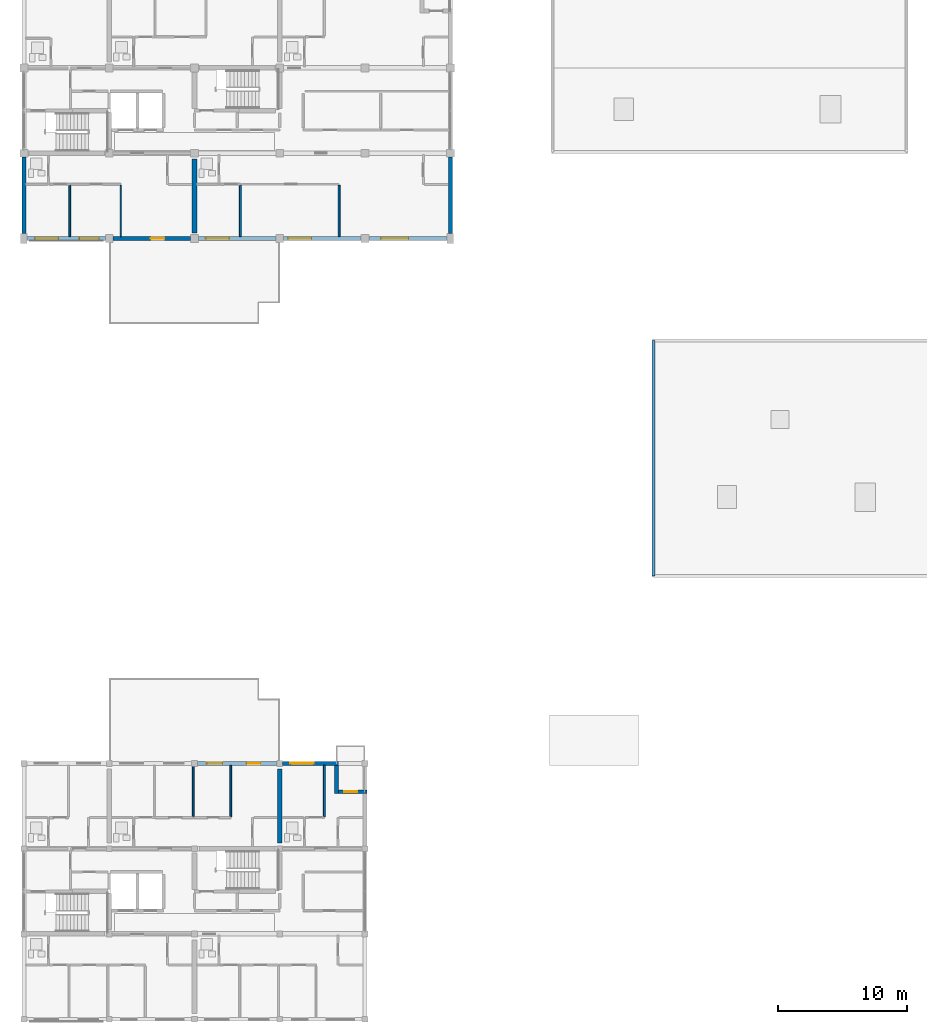
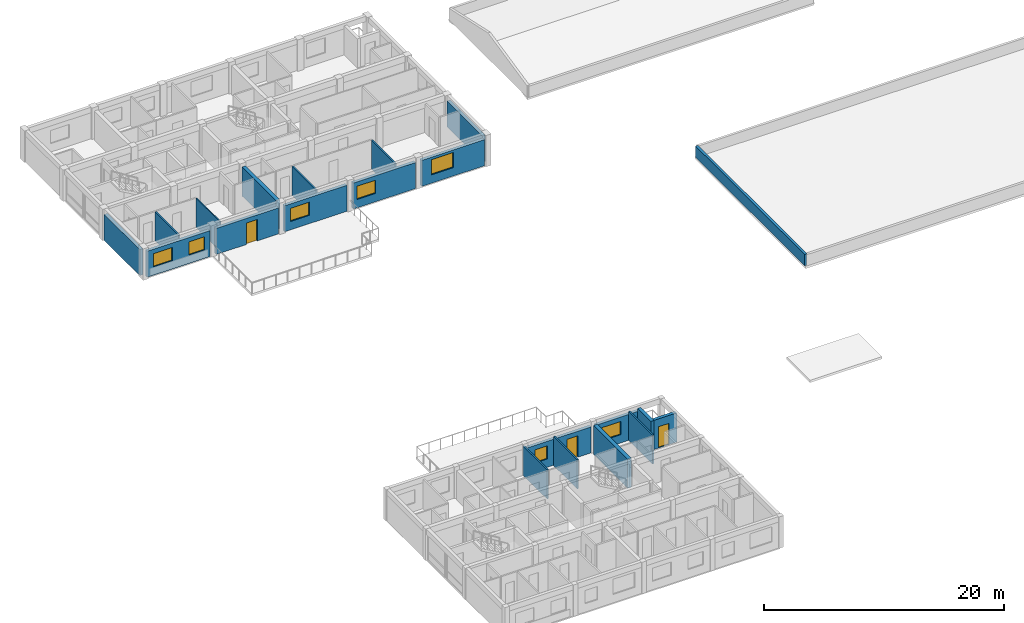
# One storey, part 29 of 51: 21 walls, 7 windows, 3 doors, 10 openings.
"""IFC4 building model written with IfcOpenShell, lengths in metres."""

import ifcopenshell
import ifcopenshell.guid

model = None  # the IFC model being written
_history = None  # IfcOwnerHistory: only IFC2X3 demands one
_inside = {}  # id of a spatial element -> (the spatial element, [elements in it])
_under = {}  # id of a project, library or spatial element -> (it, [spatial elements below it])
_declared = {}  # id of a project -> (the project, [libraries it declares])
_typed = {}  # id of a type object -> (the type object, [elements of that type])
_made_of = {}  # id of a material, layer set ... -> (it, [elements and type objects made of it])


def new_model(schema):
    """Start an empty IFC model of exactly this schema.

    Asked for "IFC4X3", IfcOpenShell would pick the latest addendum, in which some entities
    have other attributes; the version numbers below select the first issue.
    IFC2X3 requires an IfcOwnerHistory on every rooted entity: one is made here for all.
    """
    global model, _history
    if schema == "IFC4X3":
        model = ifcopenshell.file(schema_version=(4, 3, 0, 0))
    else:
        model = ifcopenshell.file(schema=schema)
    _inside.clear()
    _under.clear()
    _declared.clear()
    _typed.clear()
    _made_of.clear()
    _history = None
    if model.schema == "IFC2X3":
        org = make("IfcOrganization", Name="unknown")
        user = make(
            "IfcPersonAndOrganization",
            ThePerson=make("IfcPerson", FamilyName="unknown"),
            TheOrganization=org,
        )
        app = make(
            "IfcApplication",
            ApplicationDeveloper=org,
            Version="unknown",
            ApplicationFullName="unknown",
            ApplicationIdentifier="unknown",
        )
        _history = make(
            "IfcOwnerHistory",
            OwningUser=user,
            OwningApplication=app,
            ChangeAction="ADDED",
            CreationDate=0,
        )
    return model


def make(cls, **values):
    """One entity of the class cls with the attributes given. An attribute that is None is left unset."""
    return model.create_entity(
        cls, **{name: value for name, value in values.items() if value is not None}
    )


def rooted(cls, **values):
    """An entity with a GlobalId (a new one), such as an element, a storey or a relation."""
    return make(cls, GlobalId=ifcopenshell.guid.new(), OwnerHistory=_history, **values)


def si_unit(unit_type, name, prefix=None):
    """IfcSIUnit, for example si_unit("LENGTHUNIT", "METRE", prefix="MILLI")."""
    return make("IfcSIUnit", UnitType=unit_type, Prefix=prefix, Name=name)


def assignment(units):
    """IfcUnitAssignment: the units of a project."""
    return None if units is None else make("IfcUnitAssignment", Units=units)


def point(xyz):
    """IfcCartesianPoint."""
    return None if xyz is None else make("IfcCartesianPoint", Coordinates=xyz)


def direction(xyz):
    """IfcDirection."""
    return None if xyz is None else make("IfcDirection", DirectionRatios=xyz)


def frame(location, z_axis=None, x_axis=None):
    """IfcAxis2Placement3D, a coordinate frame: its origin and axes. An axis left out is left unset."""
    return make(
        "IfcAxis2Placement3D",
        Location=point(location),
        Axis=direction(z_axis),
        RefDirection=direction(x_axis),
    )


def frame_2d(location, x_axis=None):
    """IfcAxis2Placement2D, a coordinate frame in the plane: its origin and x axis."""
    return make(
        "IfcAxis2Placement2D", Location=point(location), RefDirection=direction(x_axis)
    )


def origin():
    """The frame at (0, 0, 0) with its axes left unset."""
    return frame((0.0, 0.0, 0.0))


def place(relative_to, where):
    """IfcLocalPlacement: puts the frame where relative to a parent placement (None: the world)."""
    return make(
        "IfcLocalPlacement", PlacementRelTo=relative_to, RelativePlacement=where
    )


def context(
    kind, dimensions, precision=None, world=None, true_north=None, identifier=None
):
    """IfcGeometricRepresentationContext, for example the 3D "Model" context."""
    return make(
        "IfcGeometricRepresentationContext",
        ContextIdentifier=identifier,
        ContextType=kind,
        CoordinateSpaceDimension=dimensions,
        Precision=precision,
        WorldCoordinateSystem=world,
        TrueNorth=true_north,
    )


def subcontext(parent, identifier, kind, view, scale=None):
    """IfcGeometricRepresentationSubContext, for example "Body" below "Model"."""
    return make(
        "IfcGeometricRepresentationSubContext",
        ContextIdentifier=identifier,
        ContextType=kind,
        ParentContext=parent,
        TargetScale=scale,
        TargetView=view,
    )


def project(units=None, contexts=None):
    """IfcProject with its units and contexts."""
    return rooted(
        "IfcProject",
        Name="project",
        RepresentationContexts=contexts,
        UnitsInContext=assignment(units),
    )


def spatial(cls, under=None, at=None, **own):
    """A site, building, storey or space (cls), placed at a placement, below another one or the project."""
    s = rooted(cls, ObjectPlacement=at, **own)
    if under is not None:
        _under.setdefault(under.id(), (under, []))[1].append(s)
    return s


def profile(cls, at=None, kind="AREA", **sizes):
    """A parametric profile (cls). Its sizes go by their IFC names, for example OverallWidth=200.0."""
    return make(cls, ProfileType=kind, Position=at, **sizes)


def rectangle(**sizes):
    """IfcRectangleProfileDef."""
    return profile("IfcRectangleProfileDef", **sizes)


def extrude(swept, where, along, depth):
    """IfcExtrudedAreaSolid: the profile swept, set in the frame where, extruded along a direction by depth."""
    return make(
        "IfcExtrudedAreaSolid",
        SweptArea=swept,
        Position=where,
        ExtrudedDirection=direction(along),
        Depth=depth,
    )


def shape(context_of_items, identifier, shape_type, items):
    """IfcShapeRepresentation: the items that make up one representation, for example the "Body"."""
    return make(
        "IfcShapeRepresentation",
        ContextOfItems=context_of_items,
        RepresentationIdentifier=identifier,
        RepresentationType=shape_type,
        Items=items,
    )


def material(Name=None, Category=None):
    """IfcMaterial."""
    return make("IfcMaterial", Name=Name, Category=Category)


def layer(
    of_material, thickness, ventilated=None, Name=None, Category=None, Priority=None
):
    """IfcMaterialLayer: one layer of a wall or slab, of a material (None: an air gap)."""
    return make(
        "IfcMaterialLayer",
        Material=of_material,
        LayerThickness=thickness,
        IsVentilated=ventilated,
        Name=Name,
        Category=Category,
        Priority=Priority,
    )


def layer_set(layers, Name=None):
    """IfcMaterialLayerSet."""
    return make("IfcMaterialLayerSet", MaterialLayers=layers, LayerSetName=Name)


def made_of(thing, what):
    """Note that an element or type object is made of a material, layer set ...; save() writes the relation."""
    if what is not None:
        _made_of.setdefault(what.id(), (what, []))[1].append(thing)
    return thing


def type_object(cls, material=None, **own):
    """A type object (cls), such as IfcWallType, which elements share."""
    return made_of(rooted(cls, **own), material)


def element(
    cls,
    number,
    at=None,
    inside=None,
    cuts=None,
    type_object=None,
    material=None,
    context=None,
    identifier="Body",
    shape_type=None,
    held_by="IfcProductDefinitionShape",
    body=None,
    shapes=None,
    **own,
):
    """One element of the class cls, such as IfcWall. Its Tag is "e" and its number.

    at: its placement. inside: the storey or other place that contains it. cuts: it is an
    opening in that element (IfcRelVoidsElement). A single representation is given by context,
    identifier, shape_type and body (its items); several are given by shapes. held_by: the class
    of the entity that holds the representations. save() writes the other relations.
    """
    e = rooted(cls, Tag="e%d" % number, ObjectPlacement=at, **own)
    if body is not None:
        shapes = [shape(context, identifier, shape_type, body)]
    if shapes is not None:
        e.Representation = make(held_by, Representations=shapes)
    if inside is not None:
        _inside.setdefault(inside.id(), (inside, []))[1].append(e)
    if cuts is not None:
        rooted(
            "IfcRelVoidsElement", RelatingBuildingElement=cuts, RelatedOpeningElement=e
        )
    if type_object is not None:
        _typed.setdefault(type_object.id(), (type_object, []))[1].append(e)
    return made_of(e, material)


def fill(opening, filler):
    """IfcRelFillsElement: the door or window that sits in an opening."""
    return rooted(
        "IfcRelFillsElement",
        RelatingOpeningElement=opening,
        RelatedBuildingElement=filler,
    )


def aggregate(whole, parts):
    """IfcRelAggregates: a whole, such as a stair, and the parts it consists of."""
    return rooted("IfcRelAggregates", RelatingObject=whole, RelatedObjects=parts)


def save(model, path):
    """Write the relations noted so far, then the file.

    IfcRelAggregates (storeys below a building ...), IfcRelContainedInSpatialStructure (elements
    in a storey), IfcRelDefinesByType, IfcRelAssociatesMaterial and IfcRelDeclares: one each for
    every whole, place, type object, material and project.
    """
    for whole, parts in _under.values():
        aggregate(whole, parts)
    for where, things in _inside.values():
        rooted(
            "IfcRelContainedInSpatialStructure",
            RelatedElements=things,
            RelatingStructure=where,
        )
    for kind, things in _typed.values():
        rooted("IfcRelDefinesByType", RelatedObjects=things, RelatingType=kind)
    for what, things in _made_of.values():
        rooted("IfcRelAssociatesMaterial", RelatedObjects=things, RelatingMaterial=what)
    for by, libraries in _declared.values():
        rooted("IfcRelDeclares", RelatingContext=by, RelatedDefinitions=libraries)
    model.write(path)


model = new_model("IFC4")

# Units and contexts
model_context = context("Model", 3, precision=1e-05, world=origin(), true_north=direction((0.0, 1.0)))
body_context = subcontext(model_context, "Body", "Model", "MODEL_VIEW")
ifc_project = project(units=[si_unit("LENGTHUNIT", "METRE"), si_unit("AREAUNIT", "SQUARE_METRE"), si_unit("VOLUMEUNIT", "CUBIC_METRE"), si_unit("PLANEANGLEUNIT", "RADIAN"), si_unit("MASSUNIT", "GRAM", prefix="KILO")], contexts=[model_context])

# Site, building, storey
site_placement = place(None, origin())
site = spatial("IfcSite", under=ifc_project, at=site_placement, CompositionType="ELEMENT")
building_placement = place(site_placement, origin())
building = spatial("IfcBuilding", under=site, at=building_placement, Name="Kernevlak Ridge Housing Community", CompositionType="ELEMENT")
storey_placement = place(building_placement, frame((0.0, 0.0, 8.39990234375)))
storey = spatial("IfcBuildingStorey", under=building, at=storey_placement, Name="L02", CompositionType="ELEMENT", Elevation=8.39990234375)

# Wall, openings, windows
ifc_material_1 = material(Name="Concrete block masonry M10", Category="masonry")
ifc_layer_1 = layer(ifc_material_1, 0.300048828125, Name="Concrete block masonry M10")
ifc_layer_set_1 = layer_set([ifc_layer_1], Name="Concrete block masonry M10")
wall_type_1 = type_object("IfcWallType", Name="EW-01", PredefinedType="STANDARD", material=ifc_layer_set_1)
wall_1_placement = place(storey_placement, frame((15.85009765625, 76.0, 0.0), z_axis=(0.0, 0.0, 1.0), x_axis=(1.0, 0.0, 0.0)))
wall_1 = element("IfcWall", 1, at=wall_1_placement, inside=storey, type_object=wall_type_1, Name="Exterior wall EW-01 L02 29", PredefinedType="STANDARD", context=body_context, shape_type="SweptSolid", body=[
    extrude(rectangle(XDim=6.0498046875, YDim=0.300048828125, at=frame_2d((3.02490234375, 0.0))), origin(), (0.0, 0.0, 1.0), 2.650146484375),
])
opening_1_placement = place(wall_1_placement, frame((0.625, 0.0, 0.85009765625)))
opening_1 = element("IfcOpeningElement", 2, at=opening_1_placement, cuts=wall_1, Name="Opening WT-03", PredefinedType="OPENING", context=body_context, shape_type="SweptSolid", body=[
    extrude(rectangle(XDim=1.800048828125, YDim=1.35009765625, at=frame_2d((0.89990234375, 0.675048828125))), frame((0.0, 0.159912109375, 0.0), z_axis=(0.0, -1.0, 0.0), x_axis=(1.0, 0.0, 0.0)), (0.0, 0.0, 1.0), 0.320068359375),
])
opening_2_placement = place(wall_1_placement, frame((4.050048828125, 0.0, 0.85009765625)))
opening_2 = element("IfcOpeningElement", 3, at=opening_2_placement, cuts=wall_1, Name="Opening WT-02", PredefinedType="OPENING", context=body_context, shape_type="SweptSolid", body=[
    extrude(rectangle(XDim=1.5, YDim=1.35009765625, at=frame_2d((0.75, 0.675048828125))), frame((0.0, 0.159912109375, 0.0), z_axis=(0.0, -1.0, 0.0), x_axis=(1.0, 0.0, 0.0)), (0.0, 0.0, 1.0), 0.320068359375),
])
ifc_material_2 = material(Name="Aluminium EN AW-6060 anodised and laminated glass", Category="aluminium")
window_type_1 = type_object("IfcWindowType", Name="WT-02", PartitioningType="SINGLE_PANEL", PredefinedType="WINDOW", material=ifc_material_2)
window_1_placement = place(opening_2_placement, origin())
window_1 = element("IfcWindow", 4, at=window_1_placement, inside=storey, type_object=window_type_1, Name="Window WT-02 L02 23", OverallHeight=1.35009765625, OverallWidth=1.5, PartitioningType="SINGLE_PANEL", PredefinedType="WINDOW", context=body_context, shape_type="SweptSolid", body=[
    extrude(rectangle(XDim=1.5, YDim=1.35009765625, at=frame_2d((0.75, 0.675048828125))), frame((0.0, 0.030029296875, 0.0), z_axis=(0.0, -1.0, 0.0), x_axis=(1.0, 0.0, 0.0)), (0.0, 0.0, 1.0), 0.06005859375),
])
fill(opening_2, window_1)
window_type_2 = type_object("IfcWindowType", Name="WT-03", PartitioningType="SINGLE_PANEL", PredefinedType="WINDOW", material=ifc_material_2)
window_2_placement = place(opening_1_placement, origin())
window_2 = element("IfcWindow", 5, at=window_2_placement, inside=storey, type_object=window_type_2, Name="Window WT-03 L02 22", OverallHeight=1.35009765625, OverallWidth=1.800048828125, PartitioningType="SINGLE_PANEL", PredefinedType="WINDOW", context=body_context, shape_type="SweptSolid", body=[
    extrude(rectangle(XDim=1.800048828125, YDim=1.35009765625, at=frame_2d((0.89990234375, 0.675048828125))), frame((0.0, 0.030029296875, 0.0), z_axis=(0.0, -1.0, 0.0), x_axis=(1.0, 0.0, 0.0)), (0.0, 0.0, 1.0), 0.06005859375),
])
fill(opening_1, window_2)

# Wall, opening, door
wall_2_placement = place(storey_placement, frame((22.5, 76.0, 0.0), z_axis=(0.0, 0.0, 1.0), x_axis=(1.0, 0.0, 0.0)))
wall_2 = element("IfcWall", 6, at=wall_2_placement, inside=storey, type_object=wall_type_1, Name="Exterior wall EW-01 L02 30", PredefinedType="STANDARD", context=body_context, shape_type="SweptSolid", body=[
    extrude(rectangle(XDim=6.0, YDim=0.300048828125, at=frame_2d((3.0, 0.0))), origin(), (0.0, 0.0, 1.0), 2.650146484375),
])
opening_3_placement = place(wall_2_placement, frame((2.9208984375, 0.0, 0.0)))
opening_3 = element("IfcOpeningElement", 7, at=opening_3_placement, cuts=wall_2, Name="Opening D078", PredefinedType="OPENING", context=body_context, shape_type="SweptSolid", body=[
    extrude(rectangle(XDim=1.050048828125, YDim=2.179931640625, at=frame_2d((0.52490234375, 1.08984375))), frame((0.0, 0.159912109375, 0.0), z_axis=(0.0, -1.0, 0.0), x_axis=(1.0, 0.0, 0.0)), (0.0, 0.0, 1.0), 0.320068359375),
])
ifc_material_3 = material(Name="Aluminium EN AW-6060 and laminated safety glass", Category="aluminium")
door_type_1 = type_object("IfcDoorType", Name="DT-12", OperationType="NOTDEFINED", PredefinedType="DOOR", material=ifc_material_3)
door_1_placement = place(opening_3_placement, origin())
door_1 = element("IfcDoor", 8, at=door_1_placement, inside=storey, type_object=door_type_1, Name="Flat A0211 podium terrace glazed door D078", OperationType="SINGLE_SWING_RIGHT", OverallHeight=2.179931640625, OverallWidth=1.050048828125, PredefinedType="DOOR", context=body_context, shape_type="SweptSolid", body=[
    extrude(rectangle(XDim=1.050048828125, YDim=2.179931640625, at=frame_2d((0.52490234375, 1.08984375))), frame((0.0, 0.02490234375, 0.0), z_axis=(0.0, -1.0, 0.0), x_axis=(1.0, 0.0, 0.0)), (0.0, 0.0, 1.0), 0.050048828125),
])
fill(opening_3, door_1)

# Wall, opening, window
wall_3_placement = place(storey_placement, frame((29.10009765625, 76.0, 0.0), z_axis=(0.0, 0.0, 1.0), x_axis=(1.0, 0.0, 0.0)))
wall_3 = element("IfcWall", 9, at=wall_3_placement, inside=storey, type_object=wall_type_1, Name="Exterior wall EW-01 L02 31", PredefinedType="STANDARD", context=body_context, shape_type="SweptSolid", body=[
    extrude(rectangle(XDim=6.0, YDim=0.300048828125, at=frame_2d((3.0, 0.0))), origin(), (0.0, 0.0, 1.0), 2.650146484375),
])
opening_4_placement = place(wall_3_placement, frame((0.574951171875, 0.0, 0.85009765625)))
opening_4 = element("IfcOpeningElement", 10, at=opening_4_placement, cuts=wall_3, Name="Opening WT-03", PredefinedType="OPENING", context=body_context, shape_type="SweptSolid", body=[
    extrude(rectangle(XDim=1.800048828125, YDim=1.35009765625, at=frame_2d((0.89990234375, 0.675048828125))), frame((0.0, 0.159912109375, 0.0), z_axis=(0.0, -1.0, 0.0), x_axis=(1.0, 0.0, 0.0)), (0.0, 0.0, 1.0), 0.320068359375),
])
window_3_placement = place(opening_4_placement, origin())
window_3 = element("IfcWindow", 11, at=window_3_placement, inside=storey, type_object=window_type_2, Name="Window WT-03 L02 24", OverallHeight=1.35009765625, OverallWidth=1.800048828125, PartitioningType="SINGLE_PANEL", PredefinedType="WINDOW", context=body_context, shape_type="SweptSolid", body=[
    extrude(rectangle(XDim=1.800048828125, YDim=1.35009765625, at=frame_2d((0.89990234375, 0.675048828125))), frame((0.0, 0.030029296875, 0.0), z_axis=(0.0, -1.0, 0.0), x_axis=(1.0, 0.0, 0.0)), (0.0, 0.0, 1.0), 0.06005859375),
])
fill(opening_4, window_3)

wall_4_placement = place(storey_placement, frame((35.699951171875, 76.0, 0.0), z_axis=(0.0, 0.0, 1.0), x_axis=(1.0, 0.0, 0.0)))
wall_4 = element("IfcWall", 12, at=wall_4_placement, inside=storey, type_object=wall_type_1, Name="Exterior wall EW-01 L02 32", PredefinedType="STANDARD", context=body_context, shape_type="SweptSolid", body=[
    extrude(rectangle(XDim=6.0, YDim=0.300048828125, at=frame_2d((3.0, 0.0))), origin(), (0.0, 0.0, 1.0), 2.650146484375),
])
opening_5_placement = place(wall_4_placement, frame((0.35009765625, 0.0, 0.85009765625)))
opening_5 = element("IfcOpeningElement", 13, at=opening_5_placement, cuts=wall_4, Name="Opening WT-03", PredefinedType="OPENING", context=body_context, shape_type="SweptSolid", body=[
    extrude(rectangle(XDim=1.800048828125, YDim=1.35009765625, at=frame_2d((0.89990234375, 0.675048828125))), frame((0.0, 0.159912109375, 0.0), z_axis=(0.0, -1.0, 0.0), x_axis=(1.0, 0.0, 0.0)), (0.0, 0.0, 1.0), 0.320068359375),
])
window_4_placement = place(opening_5_placement, origin())
window_4 = element("IfcWindow", 14, at=window_4_placement, inside=storey, type_object=window_type_2, Name="Window WT-03 L02 25", OverallHeight=1.35009765625, OverallWidth=1.800048828125, PartitioningType="SINGLE_PANEL", PredefinedType="WINDOW", context=body_context, shape_type="SweptSolid", body=[
    extrude(rectangle(XDim=1.800048828125, YDim=1.35009765625, at=frame_2d((0.89990234375, 0.675048828125))), frame((0.0, 0.030029296875, 0.0), z_axis=(0.0, -1.0, 0.0), x_axis=(1.0, 0.0, 0.0)), (0.0, 0.0, 1.0), 0.06005859375),
])
fill(opening_5, window_4)

wall_5_placement = place(storey_placement, frame((42.300048828125, 76.0, 0.0), z_axis=(0.0, 0.0, 1.0), x_axis=(1.0, 0.0, 0.0)))
wall_5 = element("IfcWall", 15, at=wall_5_placement, inside=storey, type_object=wall_type_1, Name="Exterior wall EW-01 L02 33", PredefinedType="STANDARD", context=body_context, shape_type="SweptSolid", body=[
    extrude(rectangle(XDim=6.050048828125, YDim=0.300048828125, at=frame_2d((3.02490234375, 0.0))), origin(), (0.0, 0.0, 1.0), 2.650146484375),
])
opening_6_placement = place(wall_5_placement, frame((0.944091796875, 0.0, 0.85009765625)))
opening_6 = element("IfcOpeningElement", 16, at=opening_6_placement, cuts=wall_5, Name="Opening WT-05", PredefinedType="OPENING", context=body_context, shape_type="SweptSolid", body=[
    extrude(rectangle(XDim=2.10009765625, YDim=1.550048828125, at=frame_2d((1.050048828125, 0.77490234375))), frame((0.0, 0.159912109375, 0.0), z_axis=(0.0, -1.0, 0.0), x_axis=(1.0, 0.0, 0.0)), (0.0, 0.0, 1.0), 0.320068359375),
])
window_type_3 = type_object("IfcWindowType", Name="WT-05", PartitioningType="SINGLE_PANEL", PredefinedType="WINDOW", material=ifc_material_2)
window_5_placement = place(opening_6_placement, origin())
window_5 = element("IfcWindow", 17, at=window_5_placement, inside=storey, type_object=window_type_3, Name="Window WT-05 L02 26", OverallHeight=1.550048828125, OverallWidth=2.10009765625, PartitioningType="SINGLE_PANEL", PredefinedType="WINDOW", context=body_context, shape_type="SweptSolid", body=[
    extrude(rectangle(XDim=2.10009765625, YDim=1.550048828125, at=frame_2d((1.050048828125, 0.77490234375))), frame((0.0, 0.030029296875, 0.0), z_axis=(0.0, -1.0, 0.0), x_axis=(1.0, 0.0, 0.0)), (0.0, 0.0, 1.0), 0.06005859375),
])
fill(opening_6, window_5)

# Walls
for number, where, z_axis, x_axis, name in (
    (18, (15.60009765625, 76.375, 0.0), (0.0, 0.0, 1.0), (0.0, 1.0, 0.0), "Exterior wall EW-01 L02 41"),
    (19, (48.60009765625, 76.375, 0.0), (0.0, 0.0, 1.0), (0.0, 1.0, 0.0), "Exterior wall EW-01 L02 43"),
):
    element("IfcWall", number, at=place(storey_placement, frame(where, z_axis=z_axis, x_axis=x_axis)), inside=storey, type_object=wall_type_1, Name=name, PredefinedType="STANDARD", context=body_context, shape_type="SweptSolid", body=[
        extrude(rectangle(XDim=5.925048828125, YDim=0.300048828125, at=frame_2d((2.96240234375, 0.0))), origin(), (0.0, 0.0, 1.0), 2.650146484375),
    ])

# Wall, openings, door, window
wall_6_placement = place(storey_placement, frame((29.02490234375, 35.39990234375, 0.0), z_axis=(0.0, 0.0, 1.0), x_axis=(1.0, 0.0, 0.0)))
wall_6 = element("IfcWall", 20, at=wall_6_placement, inside=storey, type_object=wall_type_1, Name="Exterior wall EW-01 L02 745", PredefinedType="STANDARD", context=body_context, shape_type="SweptSolid", body=[
    extrude(rectangle(XDim=6.150146484375, YDim=0.300048828125, at=frame_2d((3.0751953125, 0.0))), origin(), (0.0, 0.0, 1.0), 2.650146484375),
])
opening_7_placement = place(wall_6_placement, frame((0.72509765625, 0.0, 0.85009765625)))
opening_7 = element("IfcOpeningElement", 21, at=opening_7_placement, cuts=wall_6, Name="Opening WT-01", PredefinedType="OPENING", context=body_context, shape_type="SweptSolid", body=[
    extrude(rectangle(XDim=1.199951171875, YDim=1.35009765625, at=frame_2d((0.60009765625, 0.675048828125))), frame((0.0, 0.159912109375, 0.0), z_axis=(0.0, -1.0, 0.0), x_axis=(1.0, 0.0, 0.0)), (0.0, 0.0, 1.0), 0.320068359375),
])
opening_8_placement = place(wall_6_placement, frame((3.824951171875, 0.0, 0.0)))
opening_8 = element("IfcOpeningElement", 22, at=opening_8_placement, cuts=wall_6, Name="Opening E571", PredefinedType="OPENING", context=body_context, shape_type="SweptSolid", body=[
    extrude(rectangle(XDim=1.050048828125, YDim=2.179931640625, at=frame_2d((0.52490234375, 1.08984375))), frame((0.0, 0.159912109375, 0.0), z_axis=(0.0, -1.0, 0.0), x_axis=(1.0, 0.0, 0.0)), (0.0, 0.0, 1.0), 0.320068359375),
])
door_2_placement = place(opening_8_placement, origin())
door_2 = element("IfcDoor", 23, at=door_2_placement, inside=storey, type_object=door_type_1, Name="Flat D0222 podium terrace glazed door E571", OperationType="SINGLE_SWING_RIGHT", OverallHeight=2.179931640625, OverallWidth=1.050048828125, PredefinedType="DOOR", context=body_context, shape_type="SweptSolid", body=[
    extrude(rectangle(XDim=1.050048828125, YDim=2.179931640625, at=frame_2d((0.52490234375, 1.08984375))), frame((0.0, 0.02490234375, 0.0), z_axis=(0.0, -1.0, 0.0), x_axis=(1.0, 0.0, 0.0)), (0.0, 0.0, 1.0), 0.050048828125),
])
fill(opening_8, door_2)
window_type_4 = type_object("IfcWindowType", Name="WT-01", PartitioningType="SINGLE_PANEL", PredefinedType="WINDOW", material=ifc_material_2)
window_6_placement = place(opening_7_placement, origin())
window_6 = element("IfcWindow", 24, at=window_6_placement, inside=storey, type_object=window_type_4, Name="Window WT-01 L02 618", OverallHeight=1.35009765625, OverallWidth=1.199951171875, PartitioningType="SINGLE_PANEL", PredefinedType="WINDOW", context=body_context, shape_type="SweptSolid", body=[
    extrude(rectangle(XDim=1.199951171875, YDim=1.35009765625, at=frame_2d((0.60009765625, 0.675048828125))), frame((0.0, 0.030029296875, 0.0), z_axis=(0.0, -1.0, 0.0), x_axis=(1.0, 0.0, 0.0)), (0.0, 0.0, 1.0), 0.06005859375),
])
fill(opening_7, window_6)

# Wall, opening, window
wall_7_placement = place(storey_placement, frame((35.625, 35.39990234375, 0.0), z_axis=(0.0, 0.0, 1.0), x_axis=(1.0, 0.0, 0.0)))
wall_7 = element("IfcWall", 25, at=wall_7_placement, inside=storey, type_object=wall_type_1, Name="Exterior wall EW-01 L02 746", PredefinedType="STANDARD", context=body_context, shape_type="SweptSolid", body=[
    extrude(rectangle(XDim=4.324951171875, YDim=0.300048828125, at=frame_2d((2.16259765625, 0.0))), origin(), (0.0, 0.0, 1.0), 2.650146484375),
])
opening_9_placement = place(wall_7_placement, frame((0.60009765625, 0.0, 0.85009765625)))
opening_9 = element("IfcOpeningElement", 26, at=opening_9_placement, cuts=wall_7, Name="Opening WT-03", PredefinedType="OPENING", context=body_context, shape_type="SweptSolid", body=[
    extrude(rectangle(XDim=1.800048828125, YDim=1.35009765625, at=frame_2d((0.89990234375, 0.675048828125))), frame((0.0, 0.159912109375, 0.0), z_axis=(0.0, -1.0, 0.0), x_axis=(1.0, 0.0, 0.0)), (0.0, 0.0, 1.0), 0.320068359375),
])
window_7_placement = place(opening_9_placement, origin())
window_7 = element("IfcWindow", 27, at=window_7_placement, inside=storey, type_object=window_type_2, Name="Window WT-03 L02 619", OverallHeight=1.35009765625, OverallWidth=1.800048828125, PartitioningType="SINGLE_PANEL", PredefinedType="WINDOW", context=body_context, shape_type="SweptSolid", body=[
    extrude(rectangle(XDim=1.800048828125, YDim=1.35009765625, at=frame_2d((0.89990234375, 0.675048828125))), frame((0.0, 0.030029296875, 0.0), z_axis=(0.0, -1.0, 0.0), x_axis=(1.0, 0.0, 0.0)), (0.0, 0.0, 1.0), 0.06005859375),
])
fill(opening_9, window_7)

# Wall
wall_8_placement = place(storey_placement, frame((39.800048828125, 35.25, 0.0), z_axis=(0.0, 0.0, 1.0), x_axis=(0.0, -1.0, 0.0)))
element("IfcWall", 28, at=wall_8_placement, inside=storey, type_object=wall_type_1, Name="Exterior wall EW-01 L02 747", PredefinedType="STANDARD", context=body_context, shape_type="SweptSolid", body=[
    extrude(rectangle(XDim=2.199951171875, YDim=0.300048828125, at=frame_2d((1.10009765625, 0.0))), origin(), (0.0, 0.0, 1.0), 2.960205078125),
])

# Wall, opening, door
wall_9_placement = place(storey_placement, frame((39.949951171875, 33.199951171875, 0.0), z_axis=(0.0, 0.0, 1.0), x_axis=(1.0, 0.0, 0.0)))
wall_9 = element("IfcWall", 29, at=wall_9_placement, inside=storey, type_object=wall_type_1, Name="Exterior wall EW-01 L02 748", PredefinedType="STANDARD", context=body_context, shape_type="SweptSolid", body=[
    extrude(rectangle(XDim=2.199951171875, YDim=0.300048828125, at=frame_2d((1.10009765625, 0.0))), origin(), (0.0, 0.0, 1.0), 2.960205078125),
])
opening_10_placement = place(wall_9_placement, frame((0.43994140625, 0.0, 0.0)))
opening_10 = element("IfcOpeningElement", 30, at=opening_10_placement, cuts=wall_9, Name="Opening E576", PredefinedType="OPENING", context=body_context, shape_type="SweptSolid", body=[
    extrude(rectangle(XDim=1.02001953125, YDim=2.159912109375, at=frame_2d((0.510009765625, 1.080078125))), frame((0.0, 0.159912109375, 0.0), z_axis=(0.0, -1.0, 0.0), x_axis=(1.0, 0.0, 0.0)), (0.0, 0.0, 1.0), 0.320068359375),
])
door_type_2 = type_object("IfcDoorType", Name="DT-33", OperationType="NOTDEFINED", PredefinedType="DOOR", material=ifc_material_3)
door_3_placement = place(opening_10_placement, origin())
door_3 = element("IfcDoor", 31, at=door_3_placement, inside=storey, type_object=door_type_2, Name="Flat D0223 corner balcony glazed door E576", OperationType="SINGLE_SWING_LEFT", OverallHeight=2.159912109375, OverallWidth=1.02001953125, PredefinedType="DOOR", context=body_context, shape_type="SweptSolid", body=[
    extrude(rectangle(XDim=1.02001953125, YDim=2.159912109375, at=frame_2d((0.510009765625, 1.080078125))), frame((0.0, 0.02490234375, 0.0), z_axis=(0.0, -1.0, 0.0), x_axis=(1.0, 0.0, 0.0)), (0.0, 0.0, 1.0), 0.050048828125),
])
fill(opening_10, door_3)

# Walls
ifc_material_4 = material(Name="Concrete C35/45", Category="concrete")
ifc_layer_2 = layer(ifc_material_4, 0.235107421875, Name="Concrete C35/45")
ifc_layer_set_2 = layer_set([ifc_layer_2], Name="Concrete C35/45")
wall_type_2 = type_object("IfcWallType", Name="PR-04", PredefinedType="PARAPET", material=ifc_layer_set_2)
wall_10_placement = place(storey_placement, frame((64.300048828125, 68.10009765625, 0.0), z_axis=(0.0, 0.0, 1.0), x_axis=(0.0, -1.0, 0.0)))
element("IfcWall", 32, at=wall_10_placement, inside=storey, type_object=wall_type_2, Name="Community Hall roof parapet 4", PredefinedType="PARAPET", context=body_context, shape_type="SweptSolid", body=[
    extrude(rectangle(XDim=18.2001953125, YDim=0.235107421875, at=frame_2d((9.10009765625, 0.0))), origin(), (0.0, 0.0, 1.0), 1.150146484375),
])
ifc_layer_3 = layer(ifc_material_1, 0.14501953125, Name="Concrete block masonry M10")
ifc_layer_set_3 = layer_set([ifc_layer_3], Name="Concrete block masonry M10")
wall_type_3 = type_object("IfcWallType", Name="PW-03", PredefinedType="PARTITIONING", material=ifc_layer_set_3)
for number, where, z_axis, x_axis, name in (
    (33, (19.14990234375, 80.117431640625, 0.0), (0.0, 0.0, 1.0), (0.0, -1.0, 0.0), "Interior wall PW-03 WAL-INT-L02-0159"),
    (34, (32.35009765625, 80.117431640625, 0.0), (0.0, 0.0, 1.0), (0.0, -1.0, 0.0), "Interior wall PW-03 WAL-INT-L02-0168"),
    (35, (39.988037109375, 80.117431640625, 0.0), (0.0, 0.0, 1.0), (0.0, -1.0, 0.0), "Interior wall PW-03 WAL-INT-L02-0170"),
):
    element("IfcWall", number, at=place(storey_placement, frame(where, z_axis=z_axis, x_axis=x_axis)), inside=storey, type_object=wall_type_3, Name=name, PredefinedType="PARTITIONING", context=body_context, shape_type="SweptSolid", body=[
        extrude(rectangle(XDim=3.95751953125, YDim=0.14501953125, at=frame_2d((1.978759765625, 0.0))), origin(), (0.0, 0.0, 1.0), 2.960205078125),
    ])
wall_11_placement = place(storey_placement, frame((28.699951171875, 31.282470703125, 0.0), z_axis=(0.0, 0.0, 1.0), x_axis=(0.0, 1.0, 0.0)))
element("IfcWall", 36, at=wall_11_placement, inside=storey, type_object=wall_type_3, Name="Interior wall PW-03 WAL-INT-L02-3098", PredefinedType="PARTITIONING", context=body_context, shape_type="SweptSolid", body=[
    extrude(rectangle(XDim=4.03759765625, YDim=0.14501953125, at=frame_2d((2.018798828125, 0.0))), origin(), (0.0, 0.0, 1.0), 2.960205078125),
])
wall_12_placement = place(storey_placement, frame((31.60009765625, 31.282470703125, 0.0), z_axis=(0.0, 0.0, 1.0), x_axis=(0.0, 1.0, 0.0)))
element("IfcWall", 37, at=wall_12_placement, inside=storey, type_object=wall_type_3, Name="Interior wall PW-03 WAL-INT-L02-3100", PredefinedType="PARTITIONING", context=body_context, shape_type="SweptSolid", body=[
    extrude(rectangle(XDim=3.95751953125, YDim=0.14501953125, at=frame_2d((1.978759765625, 0.0))), origin(), (0.0, 0.0, 1.0), 2.960205078125),
])
wall_13_placement = place(storey_placement, frame((38.85009765625, 31.280029296875, 0.0), z_axis=(0.0, 0.0, 1.0), x_axis=(0.0, 1.0, 0.0)))
element("IfcWall", 38, at=wall_13_placement, inside=storey, type_object=wall_type_3, Name="Interior wall PW-03 WAL-INT-L02-3107", PredefinedType="PARTITIONING", context=body_context, shape_type="SweptSolid", body=[
    extrude(rectangle(XDim=3.9599609375, YDim=0.14501953125, at=frame_2d((1.97998046875, 0.0))), origin(), (0.0, 0.0, 1.0), 2.960205078125),
])
ifc_material_5 = material(Name="Gypsum plasterboard EN 520", Category="gypsum")
ifc_layer_4 = layer(ifc_material_5, 0.10498046875, Name="Gypsum plasterboard EN 520")
ifc_layer_set_4 = layer_set([ifc_layer_4], Name="Gypsum plasterboard EN 520")
wall_type_4 = type_object("IfcWallType", Name="PW-06", PredefinedType="PARTITIONING", material=ifc_layer_set_4)
wall_14_placement = place(storey_placement, frame((23.092041015625, 80.117431640625, 0.0), z_axis=(0.0, 0.0, 1.0), x_axis=(0.0, -1.0, 0.0)))
element("IfcWall", 39, at=wall_14_placement, inside=storey, type_object=wall_type_4, Name="Interior wall PW-06 WAL-INT-L02-0161", PredefinedType="PARTITIONING", context=body_context, shape_type="SweptSolid", body=[
    extrude(rectangle(XDim=3.95751953125, YDim=0.10498046875, at=frame_2d((1.978759765625, 0.0))), origin(), (0.0, 0.0, 1.0), 2.960205078125),
])
ifc_material_6 = material(Name="Concrete C40/50", Category="concrete")
ifc_layer_5 = layer(ifc_material_6, 0.35009765625, Name="Concrete C40/50")
ifc_layer_set_5 = layer_set([ifc_layer_5], Name="Concrete C40/50")
wall_type_5 = type_object("IfcWallType", Name="SW-01", PredefinedType="SHEAR", material=ifc_layer_set_5)
for number, where, z_axis, x_axis, name in (
    (40, (28.800048828125, 76.449951171875, 0.0), (0.0, 0.0, 1.0), (0.0, 1.0, 0.0), "Shear wall SW-01 Block A L02 38"),
    (41, (35.39990234375, 29.25, 0.0), (0.0, 0.0, 1.0), (0.0, 1.0, 0.0), "Shear wall SW-01 Block D L02 536"),
):
    element("IfcWall", number, at=place(storey_placement, frame(where, z_axis=z_axis, x_axis=x_axis)), inside=storey, type_object=wall_type_5, Name=name, PredefinedType="SHEAR", context=body_context, shape_type="SweptSolid", body=[
        extrude(rectangle(XDim=5.699951171875, YDim=0.35009765625, at=frame_2d((2.85009765625, 0.0))), origin(), (0.0, 0.0, 1.0), 2.960205078125),
    ])

save(model, "model.ifc")
